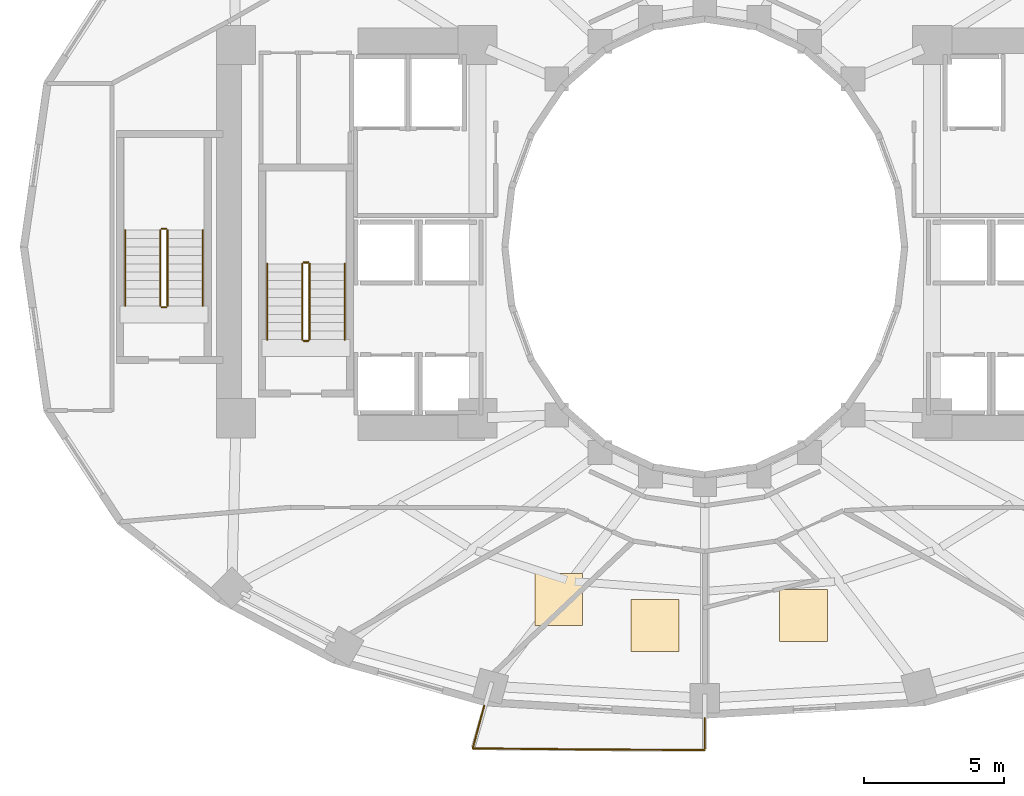
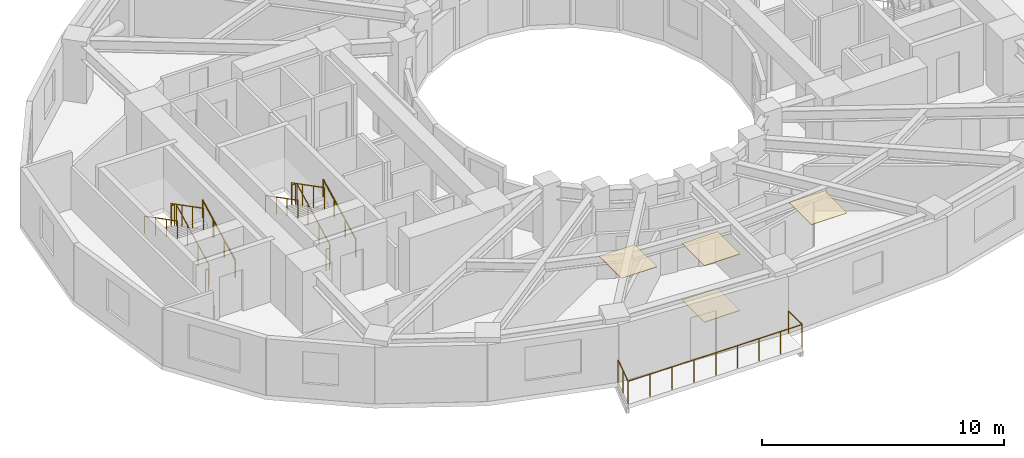
# One storey, part 8 of 9: 13 railings, 4 coverings.
"""IFC4 building model written with IfcOpenShell, lengths in metres."""

from ifc_helpers import new_model, si_unit, direction, frame, origin, origin_2d, place, context, subcontext, project, spatial, polyline, circle, outline, extrude, material, layer, layer_set, type_object, element, save


model = new_model("IFC4")

# Units and contexts
model_context = context("Model", 3, precision=1e-05, world=origin(), true_north=direction((0.0, 1.0)))
body_context = subcontext(model_context, "Body", "Model", "MODEL_VIEW")
ifc_project = project(units=[si_unit("LENGTHUNIT", "METRE"), si_unit("AREAUNIT", "SQUARE_METRE"), si_unit("VOLUMEUNIT", "CUBIC_METRE"), si_unit("PLANEANGLEUNIT", "RADIAN"), si_unit("MASSUNIT", "GRAM", prefix="KILO")], contexts=[model_context])

# Site, building, storey
site_placement = place(None, origin())
site = spatial("IfcSite", under=ifc_project, at=site_placement, CompositionType="ELEMENT")
building_placement = place(site_placement, origin())
building = spatial("IfcBuilding", under=site, at=building_placement, Name="Solvane Sanctuary Tower", CompositionType="ELEMENT")
storey_placement = place(building_placement, frame((0.0, 0.0, 79.39990234375)))
storey = spatial("IfcBuildingStorey", under=building, at=storey_placement, Name="L23", CompositionType="ELEMENT", Elevation=79.39990234375)

# Coverings
ifc_material_1 = material(Name="Acoustic Gypsum Partition Board")
ifc_layer_1 = layer(ifc_material_1, 0.02490234375, Name="Acoustic Gypsum Partition Board")
ifc_layer_set_1 = layer_set([ifc_layer_1], Name="Acoustic Gypsum Partition Board")
covering_type_1 = type_object("IfcCoveringType", Name="Covering CLG-ACOUST", PredefinedType="CEILING", material=ifc_layer_set_1)
covering_1_placement = place(storey_placement, frame((0.0, 0.0, 2.85009765625)))
element("IfcCovering", 1, at=covering_1_placement, inside=storey, type_object=covering_type_1, Name="L23 Unit Acoustic Ceiling Panel 2", PredefinedType="CEILING", context=body_context, shape_type="SweptSolid", body=[
    extrude(outline(polyline([(25.946044921875, 9.510009765625), (27.64599609375, 9.510009765625), (27.64599609375, 11.360107421875), (25.946044921875, 11.360107421875), (25.946044921875, 9.510009765625)])), origin(), (0.0, 0.0, 1.0), 0.030029296875),
])
covering_2_placement = place(storey_placement, frame((0.0, 0.0, 2.85009765625)))
element("IfcCovering", 2, at=covering_2_placement, inside=storey, type_object=covering_type_1, Name="L23 Unit Acoustic Ceiling Panel 3", PredefinedType="CEILING", context=body_context, shape_type="SweptSolid", body=[
    extrude(outline(polyline([(29.375, 8.591064453125), (31.074951171875, 8.591064453125), (31.074951171875, 10.44091796875), (29.375, 10.44091796875), (29.375, 8.591064453125)])), origin(), (0.0, 0.0, 1.0), 0.030029296875),
])
covering_3_placement = place(storey_placement, frame((0.0, 0.0, 2.85009765625)))
element("IfcCovering", 3, at=covering_3_placement, inside=storey, type_object=covering_type_1, Name="L23 Unit Acoustic Ceiling Panel 4", PredefinedType="CEILING", context=body_context, shape_type="SweptSolid", body=[
    extrude(outline(polyline([(34.669921875, 8.93798828125), (36.3701171875, 8.93798828125), (36.3701171875, 10.7880859375), (34.669921875, 10.7880859375), (34.669921875, 8.93798828125)])), origin(), (0.0, 0.0, 1.0), 0.030029296875),
])
ifc_material_2 = material(Name="Ceramic Tile Finish")
ifc_layer_2 = layer(ifc_material_2, 0.030029296875, Name="Ceramic Tile Finish")
ifc_layer_set_2 = layer_set([ifc_layer_2], Name="Ceramic Tile Finish")
covering_type_2 = type_object("IfcCoveringType", Name="Covering FLR-TERRAZZO", PredefinedType="FLOORING", material=ifc_layer_set_2)
covering_4_placement = place(storey_placement, origin())
element("IfcCovering", 4, at=covering_4_placement, inside=storey, type_object=covering_type_2, Name="L23 Unit Terrazzo Inlay 3", PredefinedType="FLOORING", context=body_context, shape_type="SweptSolid", body=[
    extrude(outline(polyline([(29.375, 8.591064453125), (31.074951171875, 8.591064453125), (31.074951171875, 10.44091796875), (29.375, 10.44091796875), (29.375, 8.591064453125)])), origin(), (0.0, 0.0, 1.0), 0.03515625),
])

# Railings
ifc_material_3 = material(Name="Architectural Stainless Steel 316", Category="steel")
railing_type_1 = type_object("IfcRailingType", Name="Railing GR-BALC-1150", PredefinedType="BALUSTRADE", material=ifc_material_3)
railing_1_placement = place(storey_placement, frame((24.138671875, 6.652587890625, 0.0)))
element("IfcRailing", 5, at=railing_1_placement, inside=storey, type_object=railing_type_1, Name="L23 Wave Balcony Balustrade SC", PredefinedType="BALUSTRADE", context=body_context, shape_type="SweptSolid", body=[
    extrude(circle(Radius=0.02392578125, at=origin_2d()), frame((0.0, 0.0, 1.1259765625), z_axis=(-0.258899009048, -0.965904396467, 0.0), x_axis=(0.965904396467, -0.258899009048, 0.0)), (0.0, 0.0, 1.0), 1.572998046875),
    extrude(circle(Radius=0.02392578125, at=origin_2d()), frame((-0.4072265625, -1.519287109375, 1.1259765625), z_axis=(0.99995760712, -0.009207820781, 0.0), x_axis=(0.009207820781, 0.99995760712, 0.0)), (0.0, 0.0, 1.0), 4.162841796875),
    extrude(circle(Radius=0.02392578125, at=origin_2d()), frame((3.75537109375, -1.5576171875, 1.1259765625), z_axis=(0.999987526976, -0.004994586292, 0.0), x_axis=(0.004994586292, 0.999987526976, 0.0)), (0.0, 0.0, 1.0), 4.10595703125),
    extrude(circle(Radius=0.02392578125, at=origin_2d()), frame((7.861328125, -1.578125, 1.1259765625), z_axis=(0.0, 1.0, 0.0), x_axis=(-1.0, 0.0, 0.0)), (0.0, 0.0, 1.0), 1.12548828125),
    extrude(circle(Radius=0.02099609375, at=origin_2d()), origin(), (0.0, 0.0, 1.0), 1.101806640625),
    extrude(circle(Radius=0.02099609375, at=origin_2d()), frame((-0.20361328125, -0.759765625, 0.0)), (0.0, 0.0, 1.0), 1.101806640625),
    extrude(circle(Radius=0.02099609375, at=origin_2d()), frame((-0.4072265625, -1.519287109375, 0.0)), (0.0, 0.0, 1.0), 1.101806640625),
    extrude(circle(Radius=0.02099609375, at=origin_2d()), frame((0.63330078125, -1.52880859375, 0.0)), (0.0, 0.0, 1.0), 1.101806640625),
    extrude(circle(Radius=0.02099609375, at=origin_2d()), frame((1.674072265625, -1.53857421875, 0.0)), (0.0, 0.0, 1.0), 1.101806640625),
    extrude(circle(Radius=0.02099609375, at=origin_2d()), frame((2.71484375, -1.548095703125, 0.0)), (0.0, 0.0, 1.0), 1.101806640625),
    extrude(circle(Radius=0.02099609375, at=origin_2d()), frame((3.75537109375, -1.5576171875, 0.0)), (0.0, 0.0, 1.0), 1.101806640625),
    extrude(circle(Radius=0.02099609375, at=origin_2d()), frame((4.78173828125, -1.562744140625, 0.0)), (0.0, 0.0, 1.0), 1.101806640625),
    extrude(circle(Radius=0.02099609375, at=origin_2d()), frame((5.808349609375, -1.56787109375, 0.0)), (0.0, 0.0, 1.0), 1.101806640625),
    extrude(circle(Radius=0.02099609375, at=origin_2d()), frame((6.8349609375, -1.572998046875, 0.0)), (0.0, 0.0, 1.0), 1.101806640625),
    extrude(circle(Radius=0.02099609375, at=origin_2d()), frame((7.861328125, -1.578125, 0.0)), (0.0, 0.0, 1.0), 1.101806640625),
    extrude(circle(Radius=0.02099609375, at=origin_2d()), frame((7.861328125, -0.45263671875, 0.0)), (0.0, 0.0, 1.0), 1.101806640625),
])
railing_2_placement = place(storey_placement, frame((17.919921875, 19.699951171875, 0.155029296875)))
element("IfcRailing", 6, at=railing_2_placement, inside=storey, type_object=railing_type_1, Name="L23 ST-1 stair guard 1", PredefinedType="BALUSTRADE", context=body_context, shape_type="SweptSolid", body=[
    extrude(circle(Radius=0.02392578125, at=origin_2d()), frame((0.0, 0.0, 1.076171875), z_axis=(0.0, 0.888419900624, 0.459031676658), x_axis=(-1.0, 0.0, 0.0)), (0.0, 0.0, 1.0), 3.0390625),
    extrude(circle(Radius=0.02099609375, at=origin_2d()), origin(), (0.0, 0.0, 1.0), 1.052001953125),
    extrude(circle(Radius=0.02099609375, at=origin_2d()), frame((0.0, 0.89990234375, 0.465087890625)), (0.0, 0.0, 1.0), 1.052001953125),
    extrude(circle(Radius=0.02099609375, at=origin_2d()), frame((0.0, 1.800048828125, 0.929931640625)), (0.0, 0.0, 1.0), 1.052001953125),
    extrude(circle(Radius=0.02099609375, at=origin_2d()), frame((0.0, 2.699951171875, 1.39501953125)), (0.0, 0.0, 1.0), 1.052001953125),
])
railing_3_placement = place(storey_placement, frame((17.8701171875, 22.449951171875, 1.550048828125)))
element("IfcRailing", 7, at=railing_3_placement, inside=storey, type_object=railing_type_1, Name="L23 ST-1 stair guard 2", PredefinedType="BALUSTRADE", context=body_context, shape_type="SweptSolid", body=[
    extrude(circle(Radius=0.02392578125, at=origin_2d()), frame((0.0, 0.0, 1.076171875), z_axis=(-1.0, 0.0, 0.0), x_axis=(0.0, -1.0, 0.0)), (0.0, 0.0, 1.0), 0.16015625),
    extrude(circle(Radius=0.02099609375, at=origin_2d()), origin(), (0.0, 0.0, 1.0), 1.052001953125),
    extrude(circle(Radius=0.02099609375, at=origin_2d()), frame((-0.16015625, 0.0, 0.0)), (0.0, 0.0, 1.0), 1.052001953125),
])
railing_4_placement = place(storey_placement, frame((17.659912109375, 22.39990234375, 1.705078125)))
element("IfcRailing", 8, at=railing_4_placement, inside=storey, type_object=railing_type_1, Name="L23 ST-1 stair guard 3", PredefinedType="BALUSTRADE", context=body_context, shape_type="SweptSolid", body=[
    extrude(circle(Radius=0.02392578125, at=origin_2d()), frame((0.0, 0.0, 1.076171875), z_axis=(0.0, -0.888419900624, 0.459031676658), x_axis=(1.0, 0.0, 0.0)), (0.0, 0.0, 1.0), 3.0390625),
    extrude(circle(Radius=0.02099609375, at=origin_2d()), origin(), (0.0, 0.0, 1.0), 1.052001953125),
    extrude(circle(Radius=0.02099609375, at=origin_2d()), frame((0.0, -0.89990234375, 0.465087890625)), (0.0, 0.0, 1.0), 1.052001953125),
    extrude(circle(Radius=0.02099609375, at=origin_2d()), frame((0.0, -1.800048828125, 0.929931640625)), (0.0, 0.0, 1.0), 1.052001953125),
    extrude(circle(Radius=0.02099609375, at=origin_2d()), frame((0.0, -2.699951171875, 1.39501953125)), (0.0, 0.0, 1.0), 1.052001953125),
])
railing_5_placement = place(storey_placement, frame((17.8701171875, 19.64990234375, 0.0)))
element("IfcRailing", 9, at=railing_5_placement, inside=storey, type_object=railing_type_1, Name="L23 ST-1 stair guard 4", PredefinedType="BALUSTRADE", context=body_context, shape_type="SweptSolid", body=[
    extrude(circle(Radius=0.02392578125, at=origin_2d()), frame((0.0, 0.0, 1.076171875), z_axis=(-1.0, 0.0, 0.0), x_axis=(0.0, -1.0, 0.0)), (0.0, 0.0, 1.0), 0.16015625),
    extrude(circle(Radius=0.02099609375, at=origin_2d()), origin(), (0.0, 0.0, 1.0), 1.052001953125),
    extrude(circle(Radius=0.02099609375, at=origin_2d()), frame((-0.16015625, 0.0, 0.0)), (0.0, 0.0, 1.0), 1.052001953125),
])
railing_6_placement = place(storey_placement, frame((12.860107421875, 20.89990234375, 0.155029296875)))
element("IfcRailing", 10, at=railing_6_placement, inside=storey, type_object=railing_type_1, Name="L23 ST-3 stair guard 1", PredefinedType="BALUSTRADE", context=body_context, shape_type="SweptSolid", body=[
    extrude(circle(Radius=0.02392578125, at=origin_2d()), frame((0.0, 0.0, 1.076171875), z_axis=(0.0, 0.888436826113, 0.458998917216), x_axis=(-1.0, 0.0, 0.0)), (0.0, 0.0, 1.0), 3.039306640625),
    extrude(circle(Radius=0.02099609375, at=origin_2d()), origin(), (0.0, 0.0, 1.0), 1.052001953125),
    extrude(circle(Radius=0.02099609375, at=origin_2d()), frame((0.0, 0.900146484375, 0.465087890625)), (0.0, 0.0, 1.0), 1.052001953125),
    extrude(circle(Radius=0.02099609375, at=origin_2d()), frame((0.0, 1.800048828125, 0.929931640625)), (0.0, 0.0, 1.0), 1.052001953125),
    extrude(circle(Radius=0.02099609375, at=origin_2d()), frame((0.0, 2.7001953125, 1.39501953125)), (0.0, 0.0, 1.0), 1.052001953125),
])
railing_7_placement = place(storey_placement, frame((12.81005859375, 23.64990234375, 1.550048828125)))
element("IfcRailing", 11, at=railing_7_placement, inside=storey, type_object=railing_type_1, Name="L23 ST-3 stair guard 2", PredefinedType="BALUSTRADE", context=body_context, shape_type="SweptSolid", body=[
    extrude(circle(Radius=0.02392578125, at=origin_2d()), frame((0.0, 0.0, 1.076171875), z_axis=(-1.0, 0.0, 0.0), x_axis=(0.0, -1.0, 0.0)), (0.0, 0.0, 1.0), 0.16015625),
    extrude(circle(Radius=0.02099609375, at=origin_2d()), origin(), (0.0, 0.0, 1.0), 1.052001953125),
    extrude(circle(Radius=0.02099609375, at=origin_2d()), frame((-0.16015625, 0.0, 0.0)), (0.0, 0.0, 1.0), 1.052001953125),
])
railing_8_placement = place(storey_placement, frame((12.60009765625, 23.60009765625, 1.705078125)))
element("IfcRailing", 12, at=railing_8_placement, inside=storey, type_object=railing_type_1, Name="L23 ST-3 stair guard 3", PredefinedType="BALUSTRADE", context=body_context, shape_type="SweptSolid", body=[
    extrude(circle(Radius=0.02392578125, at=origin_2d()), frame((0.0, 0.0, 1.076171875), z_axis=(0.0, -0.888436826113, 0.458998917216), x_axis=(1.0, 0.0, 0.0)), (0.0, 0.0, 1.0), 3.039306640625),
    extrude(circle(Radius=0.02099609375, at=origin_2d()), origin(), (0.0, 0.0, 1.0), 1.052001953125),
    extrude(circle(Radius=0.02099609375, at=origin_2d()), frame((0.0, -0.900146484375, 0.465087890625)), (0.0, 0.0, 1.0), 1.052001953125),
    extrude(circle(Radius=0.02099609375, at=origin_2d()), frame((0.0, -1.800048828125, 0.929931640625)), (0.0, 0.0, 1.0), 1.052001953125),
    extrude(circle(Radius=0.02099609375, at=origin_2d()), frame((0.0, -2.7001953125, 1.39501953125)), (0.0, 0.0, 1.0), 1.052001953125),
])
railing_9_placement = place(storey_placement, frame((12.81005859375, 20.85009765625, 0.0)))
element("IfcRailing", 13, at=railing_9_placement, inside=storey, type_object=railing_type_1, Name="L23 ST-3 stair guard 4", PredefinedType="BALUSTRADE", context=body_context, shape_type="SweptSolid", body=[
    extrude(circle(Radius=0.02392578125, at=origin_2d()), frame((0.0, 0.0, 1.076171875), z_axis=(-1.0, 0.0, 0.0), x_axis=(0.0, -1.0, 0.0)), (0.0, 0.0, 1.0), 0.16015625),
    extrude(circle(Radius=0.02099609375, at=origin_2d()), origin(), (0.0, 0.0, 1.0), 1.052001953125),
    extrude(circle(Radius=0.02099609375, at=origin_2d()), frame((-0.16015625, 0.0, 0.0)), (0.0, 0.0, 1.0), 1.052001953125),
])
railing_type_2 = type_object("IfcRailingType", Name="Railing HR-STAIR-920", PredefinedType="HANDRAIL", material=ifc_material_3)
railing_10_placement = place(storey_placement, frame((19.169921875, 19.699951171875, 0.155029296875)))
element("IfcRailing", 14, at=railing_10_placement, inside=storey, type_object=railing_type_2, Name="L23 ST-1 stair handrail 1", PredefinedType="HANDRAIL", context=body_context, shape_type="SweptSolid", body=[
    extrude(circle(Radius=0.02392578125, at=origin_2d()), frame((0.0, 0.0, 0.8759765625), z_axis=(0.0, 0.888419900624, 0.459031676658), x_axis=(-1.0, 0.0, 0.0)), (0.0, 0.0, 1.0), 3.0390625),
    extrude(circle(Radius=0.02099609375, at=origin_2d()), origin(), (0.0, 0.0, 1.0), 0.851806640625),
    extrude(circle(Radius=0.02099609375, at=origin_2d()), frame((0.0, 0.89990234375, 0.465087890625)), (0.0, 0.0, 1.0), 0.851806640625),
    extrude(circle(Radius=0.02099609375, at=origin_2d()), frame((0.0, 1.800048828125, 0.929931640625)), (0.0, 0.0, 1.0), 0.851806640625),
    extrude(circle(Radius=0.02099609375, at=origin_2d()), frame((0.0, 2.699951171875, 1.39501953125)), (0.0, 0.0, 1.0), 0.851806640625),
])
railing_11_placement = place(storey_placement, frame((16.409912109375, 22.39990234375, 1.705078125)))
element("IfcRailing", 15, at=railing_11_placement, inside=storey, type_object=railing_type_2, Name="L23 ST-1 stair handrail 2", PredefinedType="HANDRAIL", context=body_context, shape_type="SweptSolid", body=[
    extrude(circle(Radius=0.02392578125, at=origin_2d()), frame((0.0, 0.0, 0.8759765625), z_axis=(0.0, -0.888419900624, 0.459031676658), x_axis=(1.0, 0.0, 0.0)), (0.0, 0.0, 1.0), 3.0390625),
    extrude(circle(Radius=0.02099609375, at=origin_2d()), origin(), (0.0, 0.0, 1.0), 0.851806640625),
    extrude(circle(Radius=0.02099609375, at=origin_2d()), frame((0.0, -0.89990234375, 0.465087890625)), (0.0, 0.0, 1.0), 0.851806640625),
    extrude(circle(Radius=0.02099609375, at=origin_2d()), frame((0.0, -1.800048828125, 0.929931640625)), (0.0, 0.0, 1.0), 0.851806640625),
    extrude(circle(Radius=0.02099609375, at=origin_2d()), frame((0.0, -2.699951171875, 1.39501953125)), (0.0, 0.0, 1.0), 0.851806640625),
])
railing_12_placement = place(storey_placement, frame((14.110107421875, 20.89990234375, 0.155029296875)))
element("IfcRailing", 16, at=railing_12_placement, inside=storey, type_object=railing_type_2, Name="L23 ST-3 stair handrail 1", PredefinedType="HANDRAIL", context=body_context, shape_type="SweptSolid", body=[
    extrude(circle(Radius=0.02392578125, at=origin_2d()), frame((0.0, 0.0, 0.8759765625), z_axis=(0.0, 0.888436826113, 0.458998917216), x_axis=(-1.0, 0.0, 0.0)), (0.0, 0.0, 1.0), 3.039306640625),
    extrude(circle(Radius=0.02099609375, at=origin_2d()), origin(), (0.0, 0.0, 1.0), 0.851806640625),
    extrude(circle(Radius=0.02099609375, at=origin_2d()), frame((0.0, 0.900146484375, 0.465087890625)), (0.0, 0.0, 1.0), 0.851806640625),
    extrude(circle(Radius=0.02099609375, at=origin_2d()), frame((0.0, 1.800048828125, 0.929931640625)), (0.0, 0.0, 1.0), 0.851806640625),
    extrude(circle(Radius=0.02099609375, at=origin_2d()), frame((0.0, 2.7001953125, 1.39501953125)), (0.0, 0.0, 1.0), 0.851806640625),
])
railing_13_placement = place(storey_placement, frame((11.35009765625, 23.60009765625, 1.705078125)))
element("IfcRailing", 17, at=railing_13_placement, inside=storey, type_object=railing_type_2, Name="L23 ST-3 stair handrail 2", PredefinedType="HANDRAIL", context=body_context, shape_type="SweptSolid", body=[
    extrude(circle(Radius=0.02392578125, at=origin_2d()), frame((0.0, 0.0, 0.8759765625), z_axis=(0.0, -0.888436826113, 0.458998917216), x_axis=(1.0, 0.0, 0.0)), (0.0, 0.0, 1.0), 3.039306640625),
    extrude(circle(Radius=0.02099609375, at=origin_2d()), origin(), (0.0, 0.0, 1.0), 0.851806640625),
    extrude(circle(Radius=0.02099609375, at=origin_2d()), frame((0.0, -0.900146484375, 0.465087890625)), (0.0, 0.0, 1.0), 0.851806640625),
    extrude(circle(Radius=0.02099609375, at=origin_2d()), frame((0.0, -1.800048828125, 0.929931640625)), (0.0, 0.0, 1.0), 0.851806640625),
    extrude(circle(Radius=0.02099609375, at=origin_2d()), frame((0.0, -2.7001953125, 1.39501953125)), (0.0, 0.0, 1.0), 0.851806640625),
])

save(model, "model.ifc")
